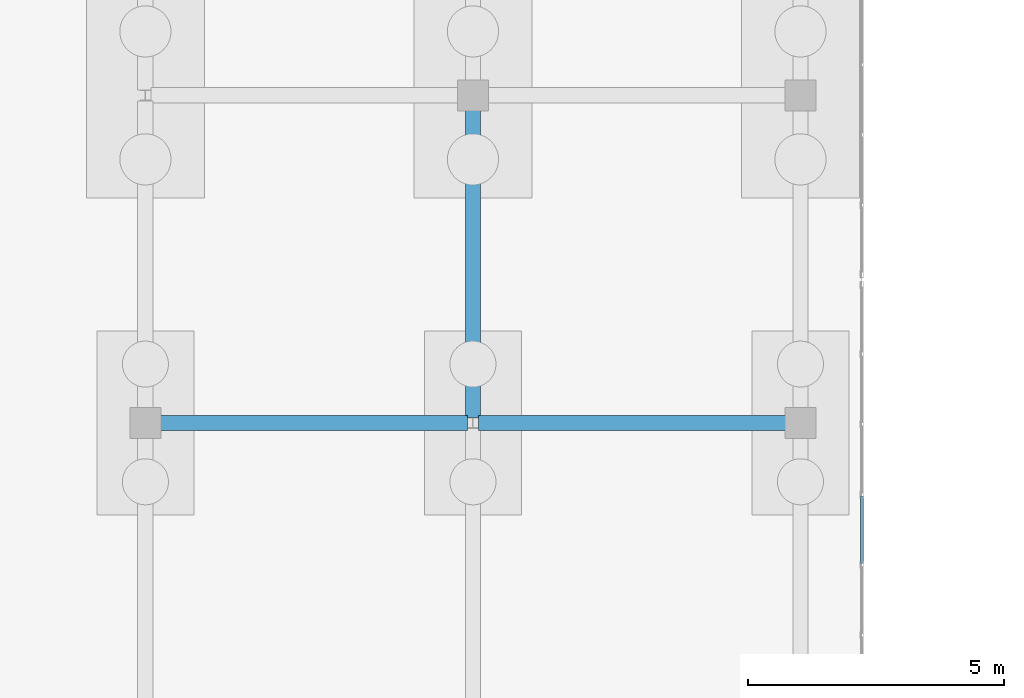
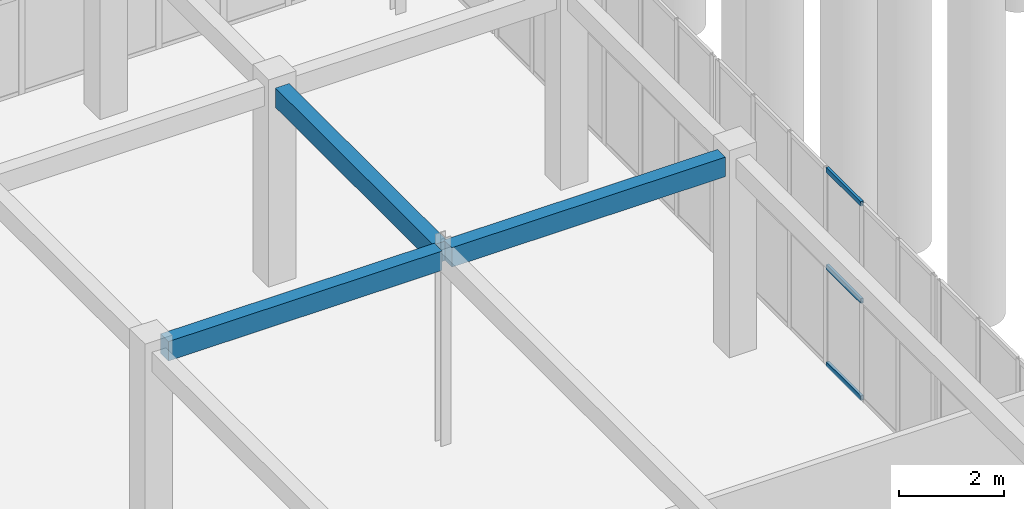
# One storey, part 111 of 192: 3 beams, 3 members, 1 element without a shape of its own.
"""IFC4 building model written with IfcOpenShell, lengths in metres."""

import ifcopenshell
import ifcopenshell.guid

model = None  # the IFC model being written
_history = None  # IfcOwnerHistory: only IFC2X3 demands one
_inside = {}  # id of a spatial element -> (the spatial element, [elements in it])
_under = {}  # id of a project, library or spatial element -> (it, [spatial elements below it])
_declared = {}  # id of a project -> (the project, [libraries it declares])
_typed = {}  # id of a type object -> (the type object, [elements of that type])
_made_of = {}  # id of a material, layer set ... -> (it, [elements and type objects made of it])


def new_model(schema):
    """Start an empty IFC model of exactly this schema.

    Asked for "IFC4X3", IfcOpenShell would pick the latest addendum, in which some entities
    have other attributes; the version numbers below select the first issue.
    IFC2X3 requires an IfcOwnerHistory on every rooted entity: one is made here for all.
    """
    global model, _history
    if schema == "IFC4X3":
        model = ifcopenshell.file(schema_version=(4, 3, 0, 0))
    else:
        model = ifcopenshell.file(schema=schema)
    _inside.clear()
    _under.clear()
    _declared.clear()
    _typed.clear()
    _made_of.clear()
    _history = None
    if model.schema == "IFC2X3":
        org = make("IfcOrganization", Name="unknown")
        user = make(
            "IfcPersonAndOrganization",
            ThePerson=make("IfcPerson", FamilyName="unknown"),
            TheOrganization=org,
        )
        app = make(
            "IfcApplication",
            ApplicationDeveloper=org,
            Version="unknown",
            ApplicationFullName="unknown",
            ApplicationIdentifier="unknown",
        )
        _history = make(
            "IfcOwnerHistory",
            OwningUser=user,
            OwningApplication=app,
            ChangeAction="ADDED",
            CreationDate=0,
        )
    return model


def make(cls, **values):
    """One entity of the class cls with the attributes given. An attribute that is None is left unset."""
    return model.create_entity(
        cls, **{name: value for name, value in values.items() if value is not None}
    )


def rooted(cls, **values):
    """An entity with a GlobalId (a new one), such as an element, a storey or a relation."""
    return make(cls, GlobalId=ifcopenshell.guid.new(), OwnerHistory=_history, **values)


def si_unit(unit_type, name, prefix=None):
    """IfcSIUnit, for example si_unit("LENGTHUNIT", "METRE", prefix="MILLI")."""
    return make("IfcSIUnit", UnitType=unit_type, Prefix=prefix, Name=name)


def assignment(units):
    """IfcUnitAssignment: the units of a project."""
    return None if units is None else make("IfcUnitAssignment", Units=units)


def point(xyz):
    """IfcCartesianPoint."""
    return None if xyz is None else make("IfcCartesianPoint", Coordinates=xyz)


def direction(xyz):
    """IfcDirection."""
    return None if xyz is None else make("IfcDirection", DirectionRatios=xyz)


def frame(location, z_axis=None, x_axis=None):
    """IfcAxis2Placement3D, a coordinate frame: its origin and axes. An axis left out is left unset."""
    return make(
        "IfcAxis2Placement3D",
        Location=point(location),
        Axis=direction(z_axis),
        RefDirection=direction(x_axis),
    )


def frame_2d(location, x_axis=None):
    """IfcAxis2Placement2D, a coordinate frame in the plane: its origin and x axis."""
    return make(
        "IfcAxis2Placement2D", Location=point(location), RefDirection=direction(x_axis)
    )


def origin():
    """The frame at (0, 0, 0) with its axes left unset."""
    return frame((0.0, 0.0, 0.0))


def origin_2d():
    """The frame at (0, 0) in the plane with its x axis left unset."""
    return frame_2d((0.0, 0.0))


def place(relative_to, where):
    """IfcLocalPlacement: puts the frame where relative to a parent placement (None: the world)."""
    return make(
        "IfcLocalPlacement", PlacementRelTo=relative_to, RelativePlacement=where
    )


def context(
    kind, dimensions, precision=None, world=None, true_north=None, identifier=None
):
    """IfcGeometricRepresentationContext, for example the 3D "Model" context."""
    return make(
        "IfcGeometricRepresentationContext",
        ContextIdentifier=identifier,
        ContextType=kind,
        CoordinateSpaceDimension=dimensions,
        Precision=precision,
        WorldCoordinateSystem=world,
        TrueNorth=true_north,
    )


def subcontext(parent, identifier, kind, view, scale=None):
    """IfcGeometricRepresentationSubContext, for example "Body" below "Model"."""
    return make(
        "IfcGeometricRepresentationSubContext",
        ContextIdentifier=identifier,
        ContextType=kind,
        ParentContext=parent,
        TargetScale=scale,
        TargetView=view,
    )


def project(units=None, contexts=None):
    """IfcProject with its units and contexts."""
    return rooted(
        "IfcProject",
        Name="project",
        RepresentationContexts=contexts,
        UnitsInContext=assignment(units),
    )


def spatial(cls, under=None, at=None, **own):
    """A site, building, storey or space (cls), placed at a placement, below another one or the project."""
    s = rooted(cls, ObjectPlacement=at, **own)
    if under is not None:
        _under.setdefault(under.id(), (under, []))[1].append(s)
    return s


def profile(cls, at=None, kind="AREA", **sizes):
    """A parametric profile (cls). Its sizes go by their IFC names, for example OverallWidth=200.0."""
    return make(cls, ProfileType=kind, Position=at, **sizes)


def rectangle(**sizes):
    """IfcRectangleProfileDef."""
    return profile("IfcRectangleProfileDef", **sizes)


def hollow_rectangle(**sizes):
    """IfcRectangleHollowProfileDef."""
    return profile("IfcRectangleHollowProfileDef", **sizes)


def extrude(swept, where, along, depth):
    """IfcExtrudedAreaSolid: the profile swept, set in the frame where, extruded along a direction by depth."""
    return make(
        "IfcExtrudedAreaSolid",
        SweptArea=swept,
        Position=where,
        ExtrudedDirection=direction(along),
        Depth=depth,
    )


def shape(context_of_items, identifier, shape_type, items):
    """IfcShapeRepresentation: the items that make up one representation, for example the "Body"."""
    return make(
        "IfcShapeRepresentation",
        ContextOfItems=context_of_items,
        RepresentationIdentifier=identifier,
        RepresentationType=shape_type,
        Items=items,
    )


def material(Name=None, Category=None):
    """IfcMaterial."""
    return make("IfcMaterial", Name=Name, Category=Category)


def layer(
    of_material, thickness, ventilated=None, Name=None, Category=None, Priority=None
):
    """IfcMaterialLayer: one layer of a wall or slab, of a material (None: an air gap)."""
    return make(
        "IfcMaterialLayer",
        Material=of_material,
        LayerThickness=thickness,
        IsVentilated=ventilated,
        Name=Name,
        Category=Category,
        Priority=Priority,
    )


def layer_set(layers, Name=None):
    """IfcMaterialLayerSet."""
    return make("IfcMaterialLayerSet", MaterialLayers=layers, LayerSetName=Name)


def material_profile(
    of_material, cross_section, Name=None, Category=None, Priority=None
):
    """IfcMaterialProfile: a cross section and its material."""
    return make(
        "IfcMaterialProfile",
        Name=Name,
        Material=of_material,
        Profile=cross_section,
        Priority=Priority,
        Category=Category,
    )


def profile_set(profiles, Name=None, composite=None):
    """IfcMaterialProfileSet."""
    return make(
        "IfcMaterialProfileSet",
        Name=Name,
        MaterialProfiles=profiles,
        CompositeProfile=composite,
    )


def made_of(thing, what):
    """Note that an element or type object is made of a material, layer set ...; save() writes the relation."""
    if what is not None:
        _made_of.setdefault(what.id(), (what, []))[1].append(thing)
    return thing


def type_object(cls, material=None, **own):
    """A type object (cls), such as IfcWallType, which elements share."""
    return made_of(rooted(cls, **own), material)


def element(
    cls,
    number,
    at=None,
    inside=None,
    cuts=None,
    type_object=None,
    material=None,
    context=None,
    identifier="Body",
    shape_type=None,
    held_by="IfcProductDefinitionShape",
    body=None,
    shapes=None,
    **own,
):
    """One element of the class cls, such as IfcWall. Its Tag is "e" and its number.

    at: its placement. inside: the storey or other place that contains it. cuts: it is an
    opening in that element (IfcRelVoidsElement). A single representation is given by context,
    identifier, shape_type and body (its items); several are given by shapes. held_by: the class
    of the entity that holds the representations. save() writes the other relations.
    """
    e = rooted(cls, Tag="e%d" % number, ObjectPlacement=at, **own)
    if body is not None:
        shapes = [shape(context, identifier, shape_type, body)]
    if shapes is not None:
        e.Representation = make(held_by, Representations=shapes)
    if inside is not None:
        _inside.setdefault(inside.id(), (inside, []))[1].append(e)
    if cuts is not None:
        rooted(
            "IfcRelVoidsElement", RelatingBuildingElement=cuts, RelatedOpeningElement=e
        )
    if type_object is not None:
        _typed.setdefault(type_object.id(), (type_object, []))[1].append(e)
    return made_of(e, material)


def aggregate(whole, parts):
    """IfcRelAggregates: a whole, such as a stair, and the parts it consists of."""
    return rooted("IfcRelAggregates", RelatingObject=whole, RelatedObjects=parts)


def save(model, path):
    """Write the relations noted so far, then the file.

    IfcRelAggregates (storeys below a building ...), IfcRelContainedInSpatialStructure (elements
    in a storey), IfcRelDefinesByType, IfcRelAssociatesMaterial and IfcRelDeclares: one each for
    every whole, place, type object, material and project.
    """
    for whole, parts in _under.values():
        aggregate(whole, parts)
    for where, things in _inside.values():
        rooted(
            "IfcRelContainedInSpatialStructure",
            RelatedElements=things,
            RelatingStructure=where,
        )
    for kind, things in _typed.values():
        rooted("IfcRelDefinesByType", RelatedObjects=things, RelatingType=kind)
    for what, things in _made_of.values():
        rooted("IfcRelAssociatesMaterial", RelatedObjects=things, RelatingMaterial=what)
    for by, libraries in _declared.values():
        rooted("IfcRelDeclares", RelatingContext=by, RelatedDefinitions=libraries)
    model.write(path)


model = new_model("IFC4")

# Units and contexts
model_context = context("Model", 3, precision=1e-05, world=origin(), true_north=direction((0.0, 1.0)))
body_context = subcontext(model_context, "Body", "Model", "MODEL_VIEW")
ifc_project = project(units=[si_unit("LENGTHUNIT", "METRE"), si_unit("AREAUNIT", "SQUARE_METRE"), si_unit("VOLUMEUNIT", "CUBIC_METRE"), si_unit("PLANEANGLEUNIT", "RADIAN"), si_unit("MASSUNIT", "GRAM", prefix="KILO")], contexts=[model_context])

# Site, building, storey
site_placement = place(None, origin())
site = spatial("IfcSite", under=ifc_project, at=site_placement, CompositionType="ELEMENT")
building_placement = place(site_placement, origin())
building = spatial("IfcBuilding", under=site, at=building_placement, Name="Trelvath General Hospital", CompositionType="ELEMENT")
storey_placement = place(building_placement, origin())
storey = spatial("IfcBuildingStorey", under=building, at=storey_placement, Name="L00", CompositionType="ELEMENT", Elevation=0.0)

# Beams
ifc_material_1 = material(Name="Concrete C35/45", Category="concrete")
ifc_material_profile_1 = material_profile(ifc_material_1, rectangle(XDim=0.300048828125, YDim=0.449951171875, at=origin_2d()), Name="RCB300x450")
ifc_profile_set_1 = profile_set([ifc_material_profile_1], Name="Concrete C35/45")
beam_type = type_object("IfcBeamType", Name="Beam RC300x450", PredefinedType="BEAM", material=ifc_profile_set_1)
beam_placement = place(storey_placement, frame((107.49609375, 72.800048828125, 4.3349609375), z_axis=(1.0, 0.0, 0.0), x_axis=(0.0, 1.0, 0.0)))
element("IfcBeam", 1, at=beam_placement, inside=storey, type_object=beam_type, Name="Cube Interior Ring Beam CUBE-E-T0 L00", PredefinedType="BEAM", context=body_context, shape_type="SweptSolid", body=[
    extrude(rectangle(XDim=0.300048828125, YDim=0.449951171875, at=origin_2d()), origin(), (0.0, 0.0, 1.0), 5.997802734375),
])
for number, where, z_axis, x_axis, name in (
    (2, (113.7060546875, 72.800048828125, 4.3349609375), (1.0, 0.0, 0.0), (0.0, 1.0, 0.0), "Cube Interior Ring Beam CUBE-E-T0 L00"),
    (3, (113.60009765625, 72.906005859375, 4.3349609375), (0.0, 1.0, 0.0), (-1.0, 0.0, 0.0), "Cube Interior Ring Beam CUBE-E-T0 L00"),
):
    element("IfcBeam", number, at=place(storey_placement, frame(where, z_axis=z_axis, x_axis=x_axis)), inside=storey, type_object=beam_type, Name=name, PredefinedType="BEAM", context=body_context, shape_type="SweptSolid", body=[
        extrude(rectangle(XDim=0.300048828125, YDim=0.449951171875, at=origin_2d()), origin(), (0.0, 0.0, 1.0), 5.998046875),
    ])

# Curtain wall, members
ifc_material_2 = material(Name="Anodised aluminium and low-E glass", Category="aluminium")
ifc_layer = layer(ifc_material_2, 0.139892578125)
ifc_layer_set = layer_set([ifc_layer], Name="Anodised aluminium and low-E glass")
curtain_wall_type = type_object("IfcCurtainWallType", Name="CW CrystalCube 824 456 14", PredefinedType="USERDEFINED", material=ifc_layer_set)
curtain_wall_placement = place(storey_placement, origin())
curtain_wall = element("IfcCurtainWall", 4, at=curtain_wall_placement, inside=storey, type_object=curtain_wall_type, Name="Crystal Cube Curtain Wall CUBE-E-T0 E5 L00", ObjectType="Unitised Glazed Curtain Wall", PredefinedType="USERDEFINED")
ifc_material_3 = material(Name="Anodised aluminium", Category="aluminium")
ifc_material_profile_2 = material_profile(ifc_material_3, hollow_rectangle(XDim=0.06005859375, YDim=0.110107421875, WallThickness=0.00390625, at=origin_2d()), Name="RHS60x110x4")
ifc_profile_set_2 = profile_set([ifc_material_profile_2], Name="Anodised aluminium")
member_type = type_object("IfcMemberType", Name="CurtainTransom 60x110", PredefinedType="USERDEFINED", material=ifc_profile_set_2)
member_1_placement = place(storey_placement, frame((121.199951171875, 71.3701171875, 0.030029296875), z_axis=(0.0, -1.0, 0.0), x_axis=(1.0, 0.0, 0.0)))
member_1 = element("IfcMember", 5, at=member_1_placement, type_object=member_type, Name="CW-122 transom 4.1", ObjectType="TRANSOM", PredefinedType="USERDEFINED", context=body_context, shape_type="SweptSolid", body=[
    extrude(hollow_rectangle(XDim=0.06005859375, YDim=0.110107421875, WallThickness=0.00390625, at=origin_2d()), origin(), (0.0, 0.0, 1.0), 1.3134765625),
])
member_2_placement = place(storey_placement, frame((121.199951171875, 71.3701171875, 2.280029296875), z_axis=(0.0, -1.0, 0.0), x_axis=(1.0, 0.0, 0.0)))
member_2 = element("IfcMember", 6, at=member_2_placement, type_object=member_type, Name="CW-122 transom 4.2", ObjectType="TRANSOM", PredefinedType="USERDEFINED", context=body_context, shape_type="SweptSolid", body=[
    extrude(hollow_rectangle(XDim=0.06005859375, YDim=0.110107421875, WallThickness=0.00390625, at=origin_2d()), origin(), (0.0, 0.0, 1.0), 1.3134765625),
])
member_3_placement = place(storey_placement, frame((121.199951171875, 71.3701171875, 4.530029296875), z_axis=(0.0, -1.0, 0.0), x_axis=(1.0, 0.0, 0.0)))
member_3 = element("IfcMember", 7, at=member_3_placement, type_object=member_type, Name="CW-122 transom 4.3", ObjectType="TRANSOM", PredefinedType="USERDEFINED", context=body_context, shape_type="SweptSolid", body=[
    extrude(hollow_rectangle(XDim=0.06005859375, YDim=0.110107421875, WallThickness=0.00390625, at=origin_2d()), origin(), (0.0, 0.0, 1.0), 1.3134765625),
])
aggregate(curtain_wall, [member_1, member_2, member_3])

save(model, "model.ifc")
